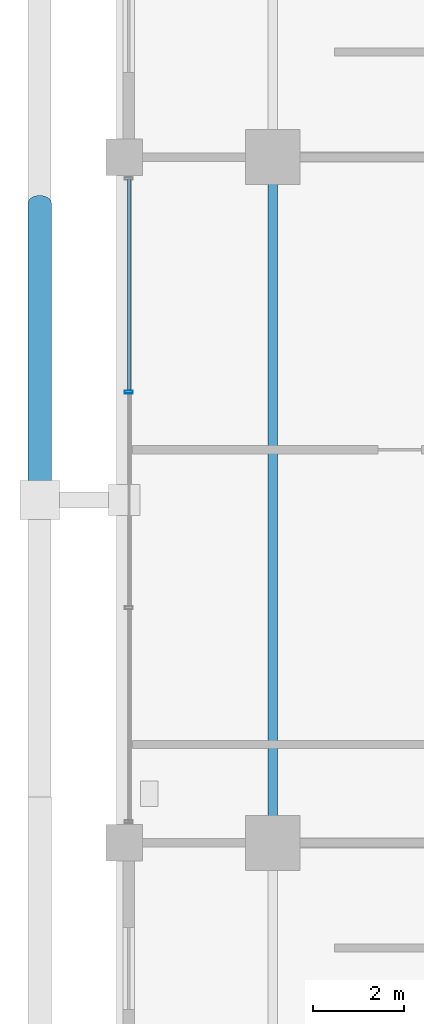
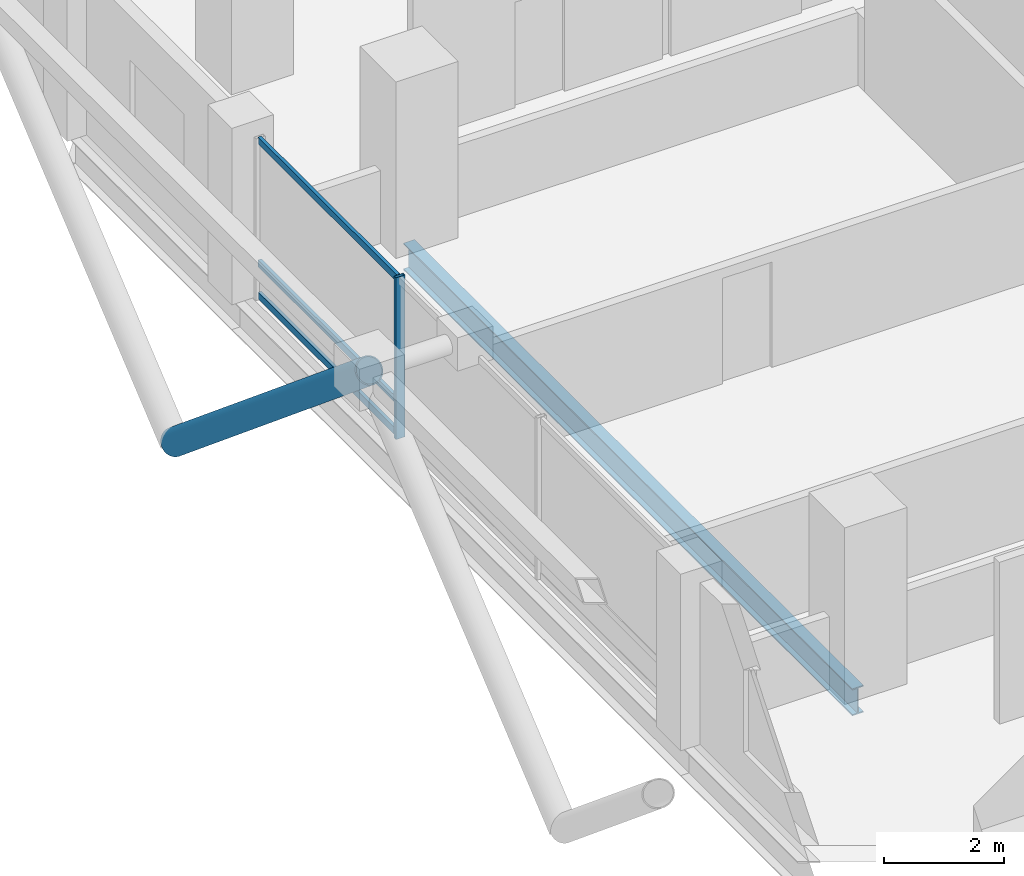
# One storey, part 7 of 25: 5 members, 1 beam, 1 element without a shape of its own.
"""IFC4 building model written with IfcOpenShell, lengths in metres."""

from ifc_helpers import new_model, si_unit, direction, frame, origin, origin_2d, place, context, subcontext, project, spatial, hollow_rectangle, hollow_circle, i_section, extrude, material, layer, layer_set, material_profile, profile_set, type_object, element, aggregate, save


model = new_model("IFC4")

# Units and contexts
model_context = context("Model", 3, precision=1e-05, world=origin(), true_north=direction((0.0, 1.0)))
body_context = subcontext(model_context, "Body", "Model", "MODEL_VIEW")
ifc_project = project(units=[si_unit("LENGTHUNIT", "METRE"), si_unit("AREAUNIT", "SQUARE_METRE"), si_unit("VOLUMEUNIT", "CUBIC_METRE"), si_unit("PLANEANGLEUNIT", "RADIAN"), si_unit("MASSUNIT", "GRAM", prefix="KILO")], contexts=[model_context])

# Site, building, storey
site_placement = place(None, origin())
site = spatial("IfcSite", under=ifc_project, at=site_placement, CompositionType="ELEMENT")
building_placement = place(site_placement, origin())
building = spatial("IfcBuilding", under=site, at=building_placement, Name="Barlavira Tower and Art Museum", CompositionType="ELEMENT")
storey_placement = place(building_placement, frame((0.0, 0.0, 162.0)))
storey = spatial("IfcBuildingStorey", under=building, at=storey_placement, Name="L41", CompositionType="ELEMENT", Elevation=162.0)

# Curtain wall, members
ifc_material_1 = material(Name="Low-iron coastal laminated glass", Category="glass")
ifc_layer = layer(ifc_material_1, 0.18994140625, Name="Low-iron coastal laminated glass")
ifc_layer_set = layer_set([ifc_layer], Name="Low-iron coastal laminated glass")
curtain_wall_type = type_object("IfcCurtainWallType", Name="Pale-Metal Unitised Curtain Wall Zone 2", PredefinedType="NOTDEFINED", material=ifc_layer_set)
curtain_wall_placement = place(storey_placement, origin())
curtain_wall = element("IfcCurtainWall", 1, at=curtain_wall_placement, inside=storey, type_object=curtain_wall_type, Name="L41 Curtain Wall CW2-L41-W-B3", PredefinedType="NOTDEFINED")
ifc_material_2 = material(Name="Pale anodised aluminium", Category="aluminium")
ifc_material_profile_1 = material_profile(ifc_material_2, hollow_rectangle(XDim=0.06494140625, YDim=0.179931640625, WallThickness=0.00390625, at=origin_2d()), Name="ALU-MULL 65x180x4")
ifc_profile_set_1 = profile_set([ifc_material_profile_1], Name="Pale anodised aluminium")
member_type_1 = type_object("IfcMemberType", Name="Curtain Wall Pale-Metal Mullion 65x180", PredefinedType="MULLION", material=ifc_profile_set_1)
member_1_placement = place(storey_placement, frame((-20.14990234375, 2.360107421875, 0.0), z_axis=(0.0, 0.0, 1.0), x_axis=(0.0, -1.0, 0.0)))
member_1 = element("IfcMember", 2, at=member_1_placement, type_object=member_type_1, Name="CW2-L41-W-B3 Mullion 1", PredefinedType="MULLION", context=body_context, shape_type="SweptSolid", body=[
    extrude(hollow_rectangle(XDim=0.06494140625, YDim=0.179931640625, WallThickness=0.00390625, at=origin_2d()), origin(), (0.0, 0.0, 1.0), 3.300048828125),
])
ifc_material_profile_2 = material_profile(ifc_material_2, hollow_rectangle(XDim=0.06494140625, YDim=0.139892578125, WallThickness=0.00390625, at=origin_2d()), Name="ALU-TRAN 65x140x4")
ifc_profile_set_2 = profile_set([ifc_material_profile_2], Name="Pale anodised aluminium")
member_type_2 = type_object("IfcMemberType", Name="Curtain Wall Pale-Metal Transom 65x140", PredefinedType="USERDEFINED", material=ifc_profile_set_2)
member_2_placement = place(storey_placement, frame((-20.14990234375, 7.034912109375, 0.070068359375), z_axis=(0.0, -1.0, 0.0), x_axis=(1.0, 0.0, 0.0)))
member_2 = element("IfcMember", 3, at=member_2_placement, type_object=member_type_2, Name="CW2-L41-W-B3 Transom 0.1", ObjectType="TRANSOM", PredefinedType="USERDEFINED", context=body_context, shape_type="SweptSolid", body=[
    extrude(hollow_rectangle(XDim=0.06494140625, YDim=0.139892578125, WallThickness=0.00390625, at=origin_2d()), origin(), (0.0, 0.0, 1.0), 4.6298828125),
])
member_3_placement = place(storey_placement, frame((-20.14990234375, 7.034912109375, 0.72607421875), z_axis=(0.0, -1.0, 0.0), x_axis=(1.0, 0.0, 0.0)))
member_3 = element("IfcMember", 4, at=member_3_placement, type_object=member_type_2, Name="CW2-L41-W-B3 Transom 0.2", ObjectType="TRANSOM", PredefinedType="USERDEFINED", context=body_context, shape_type="SweptSolid", body=[
    extrude(hollow_rectangle(XDim=0.06494140625, YDim=0.139892578125, WallThickness=0.00390625, at=origin_2d()), origin(), (0.0, 0.0, 1.0), 4.6298828125),
])
member_4_placement = place(storey_placement, frame((-20.14990234375, 7.034912109375, 3.22998046875), z_axis=(0.0, -1.0, 0.0), x_axis=(1.0, 0.0, 0.0)))
member_4 = element("IfcMember", 5, at=member_4_placement, type_object=member_type_2, Name="CW2-L41-W-B3 Transom 0.3", ObjectType="TRANSOM", PredefinedType="USERDEFINED", context=body_context, shape_type="SweptSolid", body=[
    extrude(hollow_rectangle(XDim=0.06494140625, YDim=0.139892578125, WallThickness=0.00390625, at=origin_2d()), origin(), (0.0, 0.0, 1.0), 4.6298828125),
])
aggregate(curtain_wall, [member_1, member_2, member_3, member_4])

# Member
ifc_material_3 = material(Name="Steel S355", Category="steel")
ifc_material_profile_3 = material_profile(ifc_material_3, hollow_circle(Radius=0.25390625, WallThickness=0.022216796875, at=origin_2d()), Name="CHS 508.0x22.2")
ifc_profile_set_3 = profile_set([ifc_material_profile_3], Name="Steel S355")
member_type_3 = type_object("IfcMemberType", Name="Pale-Metal Exoskeleton Diagrid Tube CHS 508x22 Steel S355", PredefinedType="BRACE", material=ifc_profile_set_3)
member_5_placement = place(storey_placement, frame((-22.10009765625, 6.5, -1.919921875), z_axis=(0.0, -0.769196053329, 0.639012857104), x_axis=(1.0, 0.0, 0.0)))
element("IfcMember", 6, at=member_5_placement, inside=storey, type_object=member_type_3, Name="L41 Exoskeleton Diagrid Tube W", PredefinedType="BRACE", context=body_context, shape_type="SweptSolid", body=[
    extrude(hollow_circle(Radius=0.25390625, WallThickness=0.022216796875, at=origin_2d()), origin(), (0.0, 0.0, 1.0), 8.450439453125),
])

# Beam
ifc_material_profile_4 = material_profile(ifc_material_3, i_section(OverallWidth=0.214111328125, OverallDepth=0.549072265625, WebThickness=0.0146484375, FlangeThickness=0.023681640625, at=origin_2d()), Name="W530x138.0")
ifc_profile_set_4 = profile_set([ifc_material_profile_4], Name="Steel S355")
beam_type = type_object("IfcBeamType", Name="Zone 1 Primary Floor Girder W530x138 Steel S355", PredefinedType="BEAM", material=ifc_profile_set_4)
beam_placement = place(storey_placement, frame((-17.0, -7.5, -0.494384765625), z_axis=(0.0, 1.0, 0.0), x_axis=(-1.0, 0.0, 0.0)))
element("IfcBeam", 7, at=beam_placement, inside=storey, type_object=beam_type, Name="L41 Girder M-W2", PredefinedType="BEAM", context=body_context, shape_type="SweptSolid", body=[
    extrude(i_section(OverallWidth=0.214111328125, OverallDepth=0.549072265625, WebThickness=0.0146484375, FlangeThickness=0.023681640625, at=origin_2d()), origin(), (0.0, 0.0, 1.0), 15.0),
])

save(model, "model.ifc")
